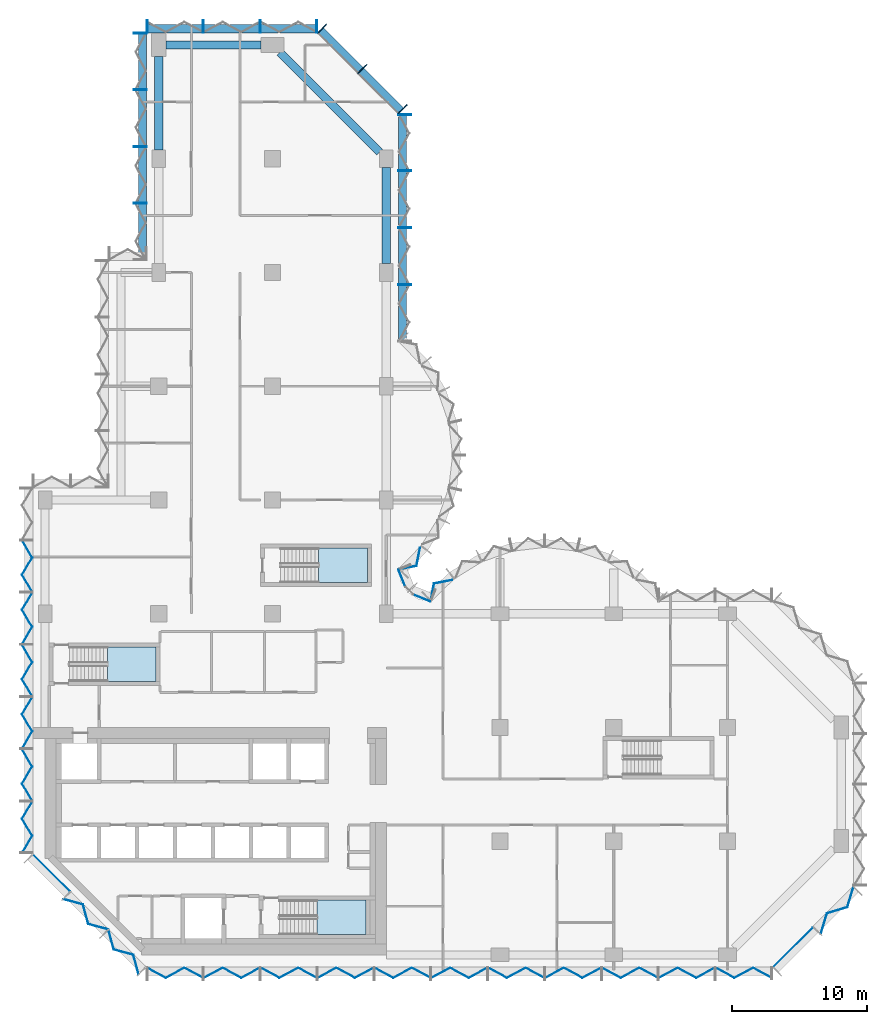
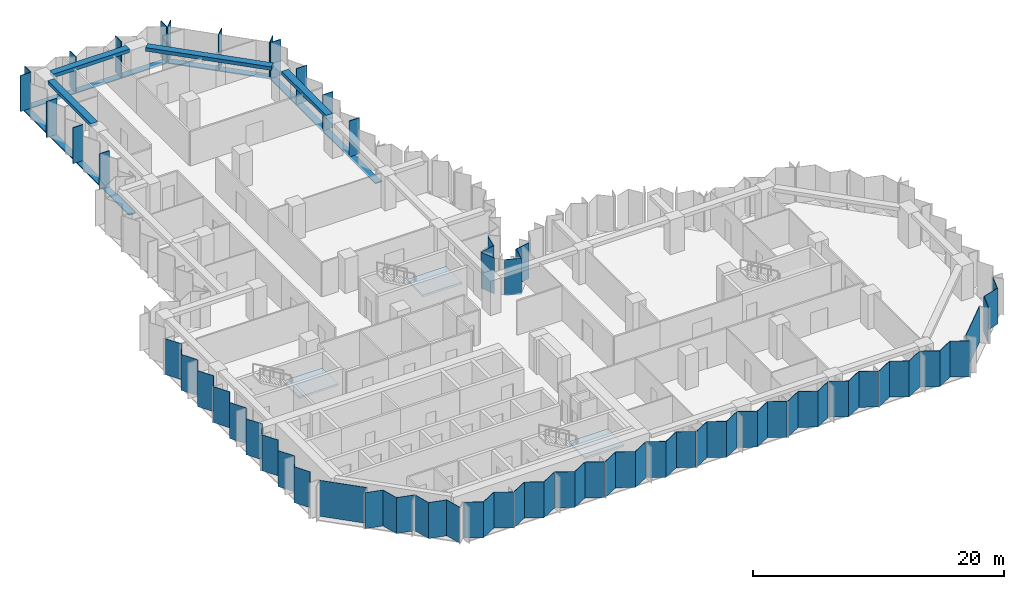
# One storey, part 3 of 11: 26 plates, 19 members, 4 beams, 3 slabs, 14 elements without a shape of their own.
"""IFC4 building model written with IfcOpenShell, lengths in metres."""

from ifc_helpers import new_model, si_unit, direction, frame, origin, origin_2d, place, context, subcontext, project, spatial, polyline, rectangle, outline, extrude, material, layer, layer_set, material_profile, profile_set, type_object, element, aggregate, save


model = new_model("IFC4")

# Units and contexts
model_context = context("Model", 3, precision=1e-05, world=origin(), true_north=direction((0.0, 1.0)))
body_context = subcontext(model_context, "Body", "Model", "MODEL_VIEW")
ifc_project = project(units=[si_unit("LENGTHUNIT", "METRE"), si_unit("AREAUNIT", "SQUARE_METRE"), si_unit("VOLUMEUNIT", "CUBIC_METRE"), si_unit("PLANEANGLEUNIT", "RADIAN"), si_unit("MASSUNIT", "GRAM", prefix="KILO")], contexts=[model_context])

# Site, building, storey
site_placement = place(None, origin())
site = spatial("IfcSite", under=ifc_project, at=site_placement, CompositionType="ELEMENT")
building_placement = place(site_placement, origin())
building = spatial("IfcBuilding", under=site, at=building_placement, Name="Brevane Broadcast Tower", CompositionType="ELEMENT")
storey_placement = place(building_placement, frame((0.0, 0.0, 142.10009765625)))
storey = spatial("IfcBuildingStorey", under=building, at=storey_placement, Name="L35", CompositionType="ELEMENT", Elevation=142.10009765625)

# Curtain wall, members
ifc_material_1 = material(Name="Aluminium 6063-T6 bronze anodised", Category="aluminium")
curtain_wall_type = type_object("IfcCurtainWallType", Name="CW-1 curtain wall", PredefinedType="NOTDEFINED", material=ifc_material_1)
curtain_wall_1_placement = place(storey_placement, origin())
curtain_wall_1 = element("IfcCurtainWall", 1, at=curtain_wall_1_placement, inside=storey, type_object=curtain_wall_type, Name="CW-1 typical tilted unit L35 north arm east face", PredefinedType="NOTDEFINED")
ifc_material_profile_1 = material_profile(ifc_material_1, rectangle(XDim=0.949951171875, YDim=0.070068359375, at=origin_2d()), Name="RECT 70x950")
ifc_profile_set_1 = profile_set([ifc_material_profile_1], Name="Aluminium 6063-T6 bronze anodised")
member_type_1 = type_object("IfcMemberType", Name="CW-1 mullion 70x950", PredefinedType="MULLION", material=ifc_profile_set_1)
member_1_placement = place(storey_placement, frame((26.574951171875, 49.5, -0.150146484375), z_axis=(0.0, 0.0, 1.0), x_axis=(-1.0, 0.0, 0.0)))
member_1 = element("IfcMember", 2, at=member_1_placement, type_object=member_type_1, Name="CW-1 mullion", PredefinedType="MULLION", context=body_context, shape_type="SweptSolid", body=[
    extrude(rectangle(XDim=0.949951171875, YDim=0.070068359375, at=origin_2d()), origin(), (0.0, 0.0, 1.0), 3.5),
])
member_2_placement = place(storey_placement, frame((26.574951171875, 53.699951171875, -0.150146484375), z_axis=(0.0, 0.0, 1.0), x_axis=(-1.0, 0.0, 0.0)))
member_2 = element("IfcMember", 3, at=member_2_placement, type_object=member_type_1, Name="CW-1 mullion", PredefinedType="MULLION", context=body_context, shape_type="SweptSolid", body=[
    extrude(rectangle(XDim=0.949951171875, YDim=0.070068359375, at=origin_2d()), origin(), (0.0, 0.0, 1.0), 3.5),
])
member_3_placement = place(storey_placement, frame((26.574951171875, 57.89990234375, -0.150146484375), z_axis=(0.0, 0.0, 1.0), x_axis=(-1.0, 0.0, 0.0)))
member_3 = element("IfcMember", 4, at=member_3_placement, type_object=member_type_1, Name="CW-1 mullion", PredefinedType="MULLION", context=body_context, shape_type="SweptSolid", body=[
    extrude(rectangle(XDim=0.949951171875, YDim=0.070068359375, at=origin_2d()), origin(), (0.0, 0.0, 1.0), 3.5),
])
member_4_placement = place(storey_placement, frame((26.574951171875, 62.06494140625, -0.150146484375), z_axis=(0.0, 0.0, 1.0), x_axis=(-1.0, 0.0, 0.0)))
member_4 = element("IfcMember", 5, at=member_4_placement, type_object=member_type_1, Name="CW-1 mullion", PredefinedType="MULLION", context=body_context, shape_type="SweptSolid", body=[
    extrude(rectangle(XDim=0.949951171875, YDim=0.070068359375, at=origin_2d()), origin(), (0.0, 0.0, 1.0), 3.5),
])

curtain_wall_2_placement = place(storey_placement, origin())
curtain_wall_2 = element("IfcCurtainWall", 6, at=curtain_wall_2_placement, inside=storey, type_object=curtain_wall_type, Name="CW-1 typical tilted unit L35 north arm north-east chamfer", PredefinedType="NOTDEFINED")
member_5_placement = place(storey_placement, frame((26.4111328125, 62.460693359375, -0.150146484375), z_axis=(0.0, 0.0, 1.0), x_axis=(-0.707106781187, -0.707106781187, 0.0)))
member_5 = element("IfcMember", 7, at=member_5_placement, type_object=member_type_1, Name="CW-1 mullion", PredefinedType="MULLION", context=body_context, shape_type="SweptSolid", body=[
    extrude(rectangle(XDim=0.949951171875, YDim=0.070068359375, at=origin_2d()), origin(), (0.0, 0.0, 1.0), 3.5),
])
member_6_placement = place(storey_placement, frame((23.435791015625, 65.435791015625, -0.150146484375), z_axis=(0.0, 0.0, 1.0), x_axis=(-0.707106781187, -0.707106781187, 0.0)))
member_6 = element("IfcMember", 8, at=member_6_placement, type_object=member_type_1, Name="CW-1 mullion", PredefinedType="MULLION", context=body_context, shape_type="SweptSolid", body=[
    extrude(rectangle(XDim=0.949951171875, YDim=0.070068359375, at=origin_2d()), origin(), (0.0, 0.0, 1.0), 3.5),
])
member_7_placement = place(storey_placement, frame((20.460693359375, 68.4111328125, -0.150146484375), z_axis=(0.0, 0.0, 1.0), x_axis=(-0.707106781187, -0.707106781187, 0.0)))
member_7 = element("IfcMember", 9, at=member_7_placement, type_object=member_type_1, Name="CW-1 mullion", PredefinedType="MULLION", context=body_context, shape_type="SweptSolid", body=[
    extrude(rectangle(XDim=0.949951171875, YDim=0.070068359375, at=origin_2d()), origin(), (0.0, 0.0, 1.0), 3.5),
])

curtain_wall_3_placement = place(storey_placement, origin())
curtain_wall_3 = element("IfcCurtainWall", 10, at=curtain_wall_3_placement, inside=storey, type_object=curtain_wall_type, Name="CW-1 typical tilted unit L35 north end", PredefinedType="NOTDEFINED")
member_8_placement = place(storey_placement, frame((20.06494140625, 68.574951171875, -0.150146484375), z_axis=(0.0, 0.0, 1.0), x_axis=(0.0, -1.0, 0.0)))
member_8 = element("IfcMember", 11, at=member_8_placement, type_object=member_type_1, Name="CW-1 mullion", PredefinedType="MULLION", context=body_context, shape_type="SweptSolid", body=[
    extrude(rectangle(XDim=0.949951171875, YDim=0.070068359375, at=origin_2d()), origin(), (0.0, 0.0, 1.0), 3.5),
])
member_9_placement = place(storey_placement, frame((15.89990234375, 68.574951171875, -0.150146484375), z_axis=(0.0, 0.0, 1.0), x_axis=(0.0, -1.0, 0.0)))
member_9 = element("IfcMember", 12, at=member_9_placement, type_object=member_type_1, Name="CW-1 mullion", PredefinedType="MULLION", context=body_context, shape_type="SweptSolid", body=[
    extrude(rectangle(XDim=0.949951171875, YDim=0.070068359375, at=origin_2d()), origin(), (0.0, 0.0, 1.0), 3.5),
])
member_10_placement = place(storey_placement, frame((11.699951171875, 68.574951171875, -0.150146484375), z_axis=(0.0, 0.0, 1.0), x_axis=(0.0, -1.0, 0.0)))
member_10 = element("IfcMember", 13, at=member_10_placement, type_object=member_type_1, Name="CW-1 mullion", PredefinedType="MULLION", context=body_context, shape_type="SweptSolid", body=[
    extrude(rectangle(XDim=0.949951171875, YDim=0.070068359375, at=origin_2d()), origin(), (0.0, 0.0, 1.0), 3.5),
])
member_11_placement = place(storey_placement, frame((7.534912109375, 68.574951171875, -0.150146484375), z_axis=(0.0, 0.0, 1.0), x_axis=(0.0, -1.0, 0.0)))
member_11 = element("IfcMember", 14, at=member_11_placement, type_object=member_type_1, Name="CW-1 mullion", PredefinedType="MULLION", context=body_context, shape_type="SweptSolid", body=[
    extrude(rectangle(XDim=0.949951171875, YDim=0.070068359375, at=origin_2d()), origin(), (0.0, 0.0, 1.0), 3.5),
])

curtain_wall_4_placement = place(storey_placement, origin())
curtain_wall_4 = element("IfcCurtainWall", 15, at=curtain_wall_4_placement, inside=storey, type_object=curtain_wall_type, Name="CW-1 typical tilted unit L35 north wing west face above the set-back", PredefinedType="NOTDEFINED")
member_12_placement = place(storey_placement, frame((7.02490234375, 68.06494140625, -0.150146484375), z_axis=(0.0, 0.0, 1.0), x_axis=(1.0, 0.0, 0.0)))
member_12 = element("IfcMember", 16, at=member_12_placement, type_object=member_type_1, Name="CW-1 mullion", PredefinedType="MULLION", context=body_context, shape_type="SweptSolid", body=[
    extrude(rectangle(XDim=0.949951171875, YDim=0.070068359375, at=origin_2d()), origin(), (0.0, 0.0, 1.0), 3.5),
])
member_13_placement = place(storey_placement, frame((7.02490234375, 63.89990234375, -0.150146484375), z_axis=(0.0, 0.0, 1.0), x_axis=(1.0, 0.0, 0.0)))
member_13 = element("IfcMember", 17, at=member_13_placement, type_object=member_type_1, Name="CW-1 mullion", PredefinedType="MULLION", context=body_context, shape_type="SweptSolid", body=[
    extrude(rectangle(XDim=0.949951171875, YDim=0.070068359375, at=origin_2d()), origin(), (0.0, 0.0, 1.0), 3.5),
])
member_14_placement = place(storey_placement, frame((7.02490234375, 59.699951171875, -0.150146484375), z_axis=(0.0, 0.0, 1.0), x_axis=(1.0, 0.0, 0.0)))
member_14 = element("IfcMember", 18, at=member_14_placement, type_object=member_type_1, Name="CW-1 mullion", PredefinedType="MULLION", context=body_context, shape_type="SweptSolid", body=[
    extrude(rectangle(XDim=0.949951171875, YDim=0.070068359375, at=origin_2d()), origin(), (0.0, 0.0, 1.0), 3.5),
])
member_15_placement = place(storey_placement, frame((7.02490234375, 55.5, -0.150146484375), z_axis=(0.0, 0.0, 1.0), x_axis=(1.0, 0.0, 0.0)))
member_15 = element("IfcMember", 19, at=member_15_placement, type_object=member_type_1, Name="CW-1 mullion", PredefinedType="MULLION", context=body_context, shape_type="SweptSolid", body=[
    extrude(rectangle(XDim=0.949951171875, YDim=0.070068359375, at=origin_2d()), origin(), (0.0, 0.0, 1.0), 3.5),
])

# Member
ifc_material_profile_2 = material_profile(ifc_material_1, rectangle(XDim=0.60009765625, YDim=0.10009765625, at=origin_2d()), Name="RECT 100x600")
ifc_profile_set_2 = profile_set([ifc_material_profile_2], Name="Aluminium 6063-T6 bronze anodised")
member_type_2 = type_object("IfcMemberType", Name="CW-1 transom 100x600", PredefinedType="USERDEFINED", material=ifc_profile_set_2)
member_16_placement = place(storey_placement, frame((26.39990234375, 45.300048828125, -0.2001953125), z_axis=(0.0, 1.0, 0.0), x_axis=(-1.0, 0.0, 0.0)))
member_16 = element("IfcMember", 20, at=member_16_placement, type_object=member_type_2, Name="CW-1 transom", ObjectType="TRANSOM", PredefinedType="USERDEFINED", context=body_context, shape_type="SweptSolid", body=[
    extrude(rectangle(XDim=0.60009765625, YDim=0.10009765625, at=origin_2d()), origin(), (0.0, 0.0, 1.0), 16.800048828125),
])

aggregate(curtain_wall_1, [member_1, member_2, member_3, member_4, member_16])

member_17_placement = place(storey_placement, frame((26.31201171875, 62.31201171875, -0.2001953125), z_axis=(-0.707106781187, 0.707106781187, 0.0), x_axis=(-0.707106781187, -0.707106781187, 0.0)))
member_17 = element("IfcMember", 21, at=member_17_placement, type_object=member_type_2, Name="CW-1 transom", ObjectType="TRANSOM", PredefinedType="USERDEFINED", context=body_context, shape_type="SweptSolid", body=[
    extrude(rectangle(XDim=0.60009765625, YDim=0.10009765625, at=origin_2d()), origin(), (0.0, 0.0, 1.0), 8.4853515625),
])

aggregate(curtain_wall_2, [member_5, member_6, member_7, member_17])

member_18_placement = place(storey_placement, frame((20.10009765625, 68.39990234375, -0.2001953125), z_axis=(-1.0, 0.0, 0.0), x_axis=(0.0, -1.0, 0.0)))
member_18 = element("IfcMember", 22, at=member_18_placement, type_object=member_type_2, Name="CW-1 transom", ObjectType="TRANSOM", PredefinedType="USERDEFINED", context=body_context, shape_type="SweptSolid", body=[
    extrude(rectangle(XDim=0.60009765625, YDim=0.10009765625, at=origin_2d()), origin(), (0.0, 0.0, 1.0), 12.60009765625),
])

aggregate(curtain_wall_3, [member_8, member_9, member_10, member_11, member_18])

member_19_placement = place(storey_placement, frame((7.199951171875, 68.10009765625, -0.2001953125), z_axis=(0.0, -1.0, 0.0), x_axis=(1.0, 0.0, 0.0)))
member_19 = element("IfcMember", 23, at=member_19_placement, type_object=member_type_2, Name="CW-1 transom", ObjectType="TRANSOM", PredefinedType="USERDEFINED", context=body_context, shape_type="SweptSolid", body=[
    extrude(rectangle(XDim=0.60009765625, YDim=0.10009765625, at=origin_2d()), origin(), (0.0, 0.0, 1.0), 16.800048828125),
])

aggregate(curtain_wall_4, [member_12, member_13, member_14, member_15, member_19])

# Beams
ifc_material_2 = material(Name="Concrete C40/50", Category="concrete")
ifc_material_profile_3 = material_profile(ifc_material_2, rectangle(XDim=0.60009765625, YDim=0.35009765625, at=origin_2d()), Name="RC 600x350")
ifc_profile_set_3 = profile_set([ifc_material_profile_3], Name="Concrete C40/50")
beam_type = type_object("IfcBeamType", Name="RC SPANDREL BEAM 600x350 C40/50", PredefinedType="SPANDREL", material=ifc_profile_set_3)
beam_1_placement = place(storey_placement, frame((25.199951171875, 51.050048828125, 3.1748046875), z_axis=(0.0, 1.0, 0.0), x_axis=(-1.0, 0.0, 0.0)))
element("IfcBeam", 24, at=beam_1_placement, inside=storey, type_object=beam_type, Name="EB1 L35-13", PredefinedType="SPANDREL", context=body_context, shape_type="SweptSolid", body=[
    extrude(rectangle(XDim=0.60009765625, YDim=0.35009765625, at=origin_2d()), origin(), (0.0, 0.0, 1.0), 7.099853515625),
])
beam_2_placement = place(storey_placement, frame((24.699951171875, 59.300048828125, 3.1748046875), z_axis=(-0.707106781187, 0.707106781187, 0.0), x_axis=(-0.707106781187, -0.707106781187, 0.0)))
element("IfcBeam", 25, at=beam_2_placement, inside=storey, type_object=beam_type, Name="EB1 L35-14", PredefinedType="SPANDREL", context=body_context, shape_type="SweptSolid", body=[
    extrude(rectangle(XDim=0.60009765625, YDim=0.35009765625, at=origin_2d()), origin(), (0.0, 0.0, 1.0), 10.394287109375),
])
beam_3_placement = place(storey_placement, frame((15.949951171875, 67.199951171875, 3.1748046875), z_axis=(-1.0, 0.0, 0.0), x_axis=(0.0, -1.0, 0.0)))
element("IfcBeam", 26, at=beam_3_placement, inside=storey, type_object=beam_type, Name="EB1 L35-15", PredefinedType="SPANDREL", context=body_context, shape_type="SweptSolid", body=[
    extrude(rectangle(XDim=0.60009765625, YDim=0.35009765625, at=origin_2d()), origin(), (0.0, 0.0, 1.0), 7.0),
])
beam_4_placement = place(storey_placement, frame((8.39990234375, 59.449951171875, 3.1748046875), z_axis=(0.0, 1.0, 0.0), x_axis=(-1.0, 0.0, 0.0)))
element("IfcBeam", 27, at=beam_4_placement, inside=storey, type_object=beam_type, Name="EB1 L35-23", PredefinedType="SPANDREL", context=body_context, shape_type="SweptSolid", body=[
    extrude(rectangle(XDim=0.60009765625, YDim=0.35009765625, at=origin_2d()), origin(), (0.0, 0.0, 1.0), 6.900146484375),
])

# Curtain wall, plates
curtain_wall_5_placement = place(storey_placement, origin())
curtain_wall_5 = element("IfcCurtainWall", 28, at=curtain_wall_5_placement, inside=storey, type_object=curtain_wall_type, Name="CW-1 typical tilted unit L35 south face", PredefinedType="NOTDEFINED")
ifc_material_3 = material(Name="Laminated glass bronze-tinted", Category="glass")
ifc_layer_1 = layer(ifc_material_3, 0.0400390625)
ifc_layer_set_1 = layer_set([ifc_layer_1], Name="CW tall glass panel 40")
plate_type = type_object("IfcPlateType", Name="CW tall glass panel 40", PredefinedType="CURTAIN_PANEL", material=ifc_layer_set_1)
plate_1_placement = place(storey_placement, frame((0.0, 0.0, -0.150146484375)))
plate_1 = element("IfcPlate", 29, at=plate_1_placement, type_object=plate_type, Name="CW-1 glass panel", PredefinedType="CURTAIN_PANEL", context=body_context, shape_type="SweptSolid", body=[
    extrude(outline(polyline([(7.534912109375, -0.92724609375), (7.534912109375, -0.97265625), (8.91162109375, -1.717041015625), (10.288330078125, -0.97265625), (11.6650390625, -1.717041015625), (11.6650390625, -1.671630859375), (10.288330078125, -0.92724609375), (8.91162109375, -1.671630859375), (7.534912109375, -0.92724609375)])), origin(), (0.0, 0.0, 1.0), 3.5),
])
plate_2_placement = place(storey_placement, frame((0.0, 0.0, -0.150146484375)))
plate_2 = element("IfcPlate", 30, at=plate_2_placement, type_object=plate_type, Name="CW-1 glass panel", PredefinedType="CURTAIN_PANEL", context=body_context, shape_type="SweptSolid", body=[
    extrude(outline(polyline([(11.735107421875, -1.671630859375), (11.735107421875, -1.717041015625), (13.11181640625, -0.97265625), (14.48828125, -1.717041015625), (15.864990234375, -0.97265625), (15.864990234375, -0.92724609375), (14.48828125, -1.671630859375), (13.11181640625, -0.92724609375), (11.735107421875, -1.671630859375)])), origin(), (0.0, 0.0, 1.0), 3.5),
])
plate_3_placement = place(storey_placement, frame((0.0, 0.0, -0.150146484375)))
plate_3 = element("IfcPlate", 31, at=plate_3_placement, type_object=plate_type, Name="CW-1 glass panel", PredefinedType="CURTAIN_PANEL", context=body_context, shape_type="SweptSolid", body=[
    extrude(outline(polyline([(15.93505859375, -0.92724609375), (15.93505859375, -0.97265625), (17.311767578125, -1.717041015625), (18.688232421875, -0.97265625), (20.06494140625, -1.717041015625), (20.06494140625, -1.671630859375), (18.688232421875, -0.92724609375), (17.311767578125, -1.671630859375), (15.93505859375, -0.92724609375)])), origin(), (0.0, 0.0, 1.0), 3.5),
])
plate_4_placement = place(storey_placement, frame((0.0, 0.0, -0.150146484375)))
plate_4 = element("IfcPlate", 32, at=plate_4_placement, type_object=plate_type, Name="CW-1 glass panel", PredefinedType="CURTAIN_PANEL", context=body_context, shape_type="SweptSolid", body=[
    extrude(outline(polyline([(20.135009765625, -1.671630859375), (20.135009765625, -1.717041015625), (21.51171875, -0.97265625), (22.88818359375, -1.717041015625), (24.264892578125, -0.97265625), (24.264892578125, -0.92724609375), (22.88818359375, -1.671630859375), (21.51171875, -0.92724609375), (20.135009765625, -1.671630859375)])), origin(), (0.0, 0.0, 1.0), 3.5),
])
plate_5_placement = place(storey_placement, frame((0.0, 0.0, -0.150146484375)))
plate_5 = element("IfcPlate", 33, at=plate_5_placement, type_object=plate_type, Name="CW-1 glass panel", PredefinedType="CURTAIN_PANEL", context=body_context, shape_type="SweptSolid", body=[
    extrude(outline(polyline([(24.3349609375, -0.92724609375), (24.3349609375, -0.97265625), (25.711669921875, -1.717041015625), (27.08837890625, -0.97265625), (28.465087890625, -1.717041015625), (28.465087890625, -1.671630859375), (27.08837890625, -0.92724609375), (25.711669921875, -1.671630859375), (24.3349609375, -0.92724609375)])), origin(), (0.0, 0.0, 1.0), 3.5),
])
plate_6_placement = place(storey_placement, frame((0.0, 0.0, -0.150146484375)))
plate_6 = element("IfcPlate", 34, at=plate_6_placement, type_object=plate_type, Name="CW-1 glass panel", PredefinedType="CURTAIN_PANEL", context=body_context, shape_type="SweptSolid", body=[
    extrude(outline(polyline([(28.534912109375, -1.671630859375), (28.534912109375, -1.717041015625), (29.91162109375, -0.97265625), (31.288330078125, -1.717041015625), (32.6650390625, -0.97265625), (32.6650390625, -0.92724609375), (31.288330078125, -1.671630859375), (29.91162109375, -0.92724609375), (28.534912109375, -1.671630859375)])), origin(), (0.0, 0.0, 1.0), 3.5),
])
plate_7_placement = place(storey_placement, frame((0.0, 0.0, -0.150146484375)))
plate_7 = element("IfcPlate", 35, at=plate_7_placement, type_object=plate_type, Name="CW-1 glass panel", PredefinedType="CURTAIN_PANEL", context=body_context, shape_type="SweptSolid", body=[
    extrude(outline(polyline([(32.735107421875, -0.92724609375), (32.735107421875, -0.97265625), (34.11181640625, -1.717041015625), (35.48828125, -0.97265625), (36.864990234375, -1.717041015625), (36.864990234375, -1.671630859375), (35.48828125, -0.92724609375), (34.11181640625, -1.671630859375), (32.735107421875, -0.92724609375)])), origin(), (0.0, 0.0, 1.0), 3.5),
])
plate_8_placement = place(storey_placement, frame((0.0, 0.0, -0.150146484375)))
plate_8 = element("IfcPlate", 36, at=plate_8_placement, type_object=plate_type, Name="CW-1 glass panel", PredefinedType="CURTAIN_PANEL", context=body_context, shape_type="SweptSolid", body=[
    extrude(outline(polyline([(36.93505859375, -1.671630859375), (36.93505859375, -1.717041015625), (38.311767578125, -0.97265625), (39.688232421875, -1.717041015625), (41.06494140625, -0.97265625), (41.06494140625, -0.92724609375), (39.688232421875, -1.671630859375), (38.311767578125, -0.92724609375), (36.93505859375, -1.671630859375)])), origin(), (0.0, 0.0, 1.0), 3.5),
])
plate_9_placement = place(storey_placement, frame((0.0, 0.0, -0.150146484375)))
plate_9 = element("IfcPlate", 37, at=plate_9_placement, type_object=plate_type, Name="CW-1 glass panel", PredefinedType="CURTAIN_PANEL", context=body_context, shape_type="SweptSolid", body=[
    extrude(outline(polyline([(41.135009765625, -0.92724609375), (41.135009765625, -0.97265625), (42.51171875, -1.717041015625), (43.88818359375, -0.97265625), (45.264892578125, -1.717041015625), (45.264892578125, -1.671630859375), (43.88818359375, -0.92724609375), (42.51171875, -1.671630859375), (41.135009765625, -0.92724609375)])), origin(), (0.0, 0.0, 1.0), 3.5),
])
plate_10_placement = place(storey_placement, frame((0.0, 0.0, -0.150146484375)))
plate_10 = element("IfcPlate", 38, at=plate_10_placement, type_object=plate_type, Name="CW-1 glass panel", PredefinedType="CURTAIN_PANEL", context=body_context, shape_type="SweptSolid", body=[
    extrude(outline(polyline([(45.3349609375, -1.671630859375), (45.3349609375, -1.717041015625), (46.711669921875, -0.97265625), (48.08837890625, -1.717041015625), (49.465087890625, -0.97265625), (49.465087890625, -0.92724609375), (48.08837890625, -1.671630859375), (46.711669921875, -0.92724609375), (45.3349609375, -1.671630859375)])), origin(), (0.0, 0.0, 1.0), 3.5),
])
plate_11_placement = place(storey_placement, frame((0.0, 0.0, -0.150146484375)))
plate_11 = element("IfcPlate", 39, at=plate_11_placement, type_object=plate_type, Name="CW-1 glass panel", PredefinedType="CURTAIN_PANEL", context=body_context, shape_type="SweptSolid", body=[
    extrude(outline(polyline([(49.534912109375, -0.92724609375), (49.534912109375, -0.97265625), (50.91162109375, -1.717041015625), (52.288330078125, -0.97265625), (53.6650390625, -1.717041015625), (53.6650390625, -1.671630859375), (52.288330078125, -0.92724609375), (50.91162109375, -1.671630859375), (49.534912109375, -0.92724609375)])), origin(), (0.0, 0.0, 1.0), 3.5),
])
aggregate(curtain_wall_5, [plate_1, plate_2, plate_3, plate_4, plate_5, plate_6, plate_7, plate_8, plate_9, plate_10, plate_11])

curtain_wall_6_placement = place(storey_placement, origin())
curtain_wall_6 = element("IfcCurtainWall", 40, at=curtain_wall_6_placement, inside=storey, type_object=curtain_wall_type, Name="CW-1 typical tilted unit L35 south-east chamfer", PredefinedType="NOTDEFINED")
plate_12_placement = place(storey_placement, frame((0.0, 0.0, -0.150146484375)))
plate_12 = element("IfcPlate", 41, at=plate_12_placement, type_object=plate_type, Name="CW-1 glass panel", PredefinedType="CURTAIN_PANEL", context=body_context, shape_type="SweptSolid", body=[
    extrude(outline(polyline([(53.74609375, -0.896484375), (56.696533203125, 2.053955078125), (56.724609375, 2.02587890625), (53.774169921875, -0.9248046875), (53.74609375, -0.896484375)])), origin(), (0.0, 0.0, 1.0), 3.5),
])
plate_13_placement = place(storey_placement, frame((0.0, 0.0, -0.150146484375)))
plate_13 = element("IfcPlate", 42, at=plate_13_placement, type_object=plate_type, Name="CW-1 glass panel", PredefinedType="CURTAIN_PANEL", context=body_context, shape_type="SweptSolid", body=[
    extrude(outline(polyline([(57.2705078125, 1.5791015625), (57.302490234375, 1.547119140625), (57.759521484375, 3.056884765625), (59.26953125, 3.513916015625), (59.7265625, 5.02392578125), (59.694580078125, 5.055908203125), (59.2373046875, 3.546142578125), (57.7275390625, 3.0888671875), (57.2705078125, 1.5791015625)])), origin(), (0.0, 0.0, 1.0), 3.5),
])
aggregate(curtain_wall_6, [plate_12, plate_13])

# Curtain wall, plate
curtain_wall_7_placement = place(storey_placement, origin())
curtain_wall_7 = element("IfcCurtainWall", 43, at=curtain_wall_7_placement, inside=storey, type_object=curtain_wall_type, Name="CW-1 typical tilted unit L35 east bow", PredefinedType="NOTDEFINED")
plate_14_placement = place(storey_placement, frame((0.0, 0.0, -0.150146484375)))
plate_14 = element("IfcPlate", 44, at=plate_14_placement, type_object=plate_type, Name="CW-1 glass panel", PredefinedType="CURTAIN_PANEL", context=body_context, shape_type="SweptSolid", body=[
    extrude(outline(polyline([(30.089111328125, 27.67626953125), (30.0615234375, 27.71142578125), (28.7138671875, 27.447265625), (28.471923828125, 26.17919921875), (28.506103515625, 26.14404296875), (28.748046875, 27.4130859375), (30.089111328125, 27.67626953125)])), origin(), (0.0, 0.0, 1.0), 3.5),
])
aggregate(curtain_wall_7, [plate_14])

# Curtain wall, plates
curtain_wall_8_placement = place(storey_placement, origin())
curtain_wall_8 = element("IfcCurtainWall", 45, at=curtain_wall_8_placement, inside=storey, type_object=curtain_wall_type, Name="CW-1 typical tilted unit L35 inner corner", PredefinedType="NOTDEFINED")
plate_15_placement = place(storey_placement, frame((0.0, 0.0, -0.150146484375)))
plate_15 = element("IfcPlate", 46, at=plate_15_placement, type_object=plate_type, Name="CW-1 glass panel", PredefinedType="CURTAIN_PANEL", context=body_context, shape_type="SweptSolid", body=[
    extrude(outline(polyline([(28.45166015625, 26.07470703125), (28.466796875, 26.111572265625), (27.2021484375, 26.635498046875), (27.17138671875, 26.60498046875), (28.45166015625, 26.07470703125)])), origin(), (0.0, 0.0, 1.0), 3.5),
])
plate_16_placement = place(storey_placement, frame((0.0, 0.0, -0.150146484375)))
plate_16 = element("IfcPlate", 47, at=plate_16_placement, type_object=plate_type, Name="CW-1 glass panel", PredefinedType="CURTAIN_PANEL", context=body_context, shape_type="SweptSolid", body=[
    extrude(outline(polyline([(26.60498046875, 27.17138671875), (26.635498046875, 27.2021484375), (26.111572265625, 28.466796875), (26.07470703125, 28.45166015625), (26.60498046875, 27.17138671875)])), origin(), (0.0, 0.0, 1.0), 3.5),
])
aggregate(curtain_wall_8, [plate_15, plate_16])

# Curtain wall, plate
curtain_wall_9_placement = place(storey_placement, origin())
curtain_wall_9 = element("IfcCurtainWall", 48, at=curtain_wall_9_placement, inside=storey, type_object=curtain_wall_type, Name="CW-1 typical tilted unit L35 north bow", PredefinedType="NOTDEFINED")
plate_17_placement = place(storey_placement, frame((0.0, 0.0, -0.150146484375)))
plate_17 = element("IfcPlate", 49, at=plate_17_placement, type_object=plate_type, Name="CW-1 glass panel", PredefinedType="CURTAIN_PANEL", context=body_context, shape_type="SweptSolid", body=[
    extrude(outline(polyline([(26.14404296875, 28.506103515625), (26.17919921875, 28.471923828125), (27.447265625, 28.7138671875), (27.71142578125, 30.0615234375), (27.67626953125, 30.089111328125), (27.4130859375, 28.748046875), (26.14404296875, 28.506103515625)])), origin(), (0.0, 0.0, 1.0), 3.5),
])
aggregate(curtain_wall_9, [plate_17])

# Curtain wall, plates
curtain_wall_10_placement = place(storey_placement, origin())
curtain_wall_10 = element("IfcCurtainWall", 50, at=curtain_wall_10_placement, inside=storey, type_object=curtain_wall_type, Name="CW-1 typical tilted unit L35 west face", PredefinedType="NOTDEFINED")
plate_18_placement = place(storey_placement, frame((0.0, 0.0, -0.150146484375)))
plate_18 = element("IfcPlate", 51, at=plate_18_placement, type_object=plate_type, Name="CW-1 glass panel", PredefinedType="CURTAIN_PANEL", context=body_context, shape_type="SweptSolid", body=[
    extrude(outline(polyline([(-1.671142578125, 30.60791015625), (-1.717529296875, 30.60791015625), (-0.97314453125, 29.345458984375), (-1.717529296875, 28.0830078125), (-0.97314453125, 26.82080078125), (-0.9267578125, 26.82080078125), (-1.671142578125, 28.0830078125), (-0.9267578125, 29.345458984375), (-1.671142578125, 30.60791015625)])), origin(), (0.0, 0.0, 1.0), 3.5),
])
plate_19_placement = place(storey_placement, frame((0.0, 0.0, -0.150146484375)))
plate_19 = element("IfcPlate", 52, at=plate_19_placement, type_object=plate_type, Name="CW-1 glass panel", PredefinedType="CURTAIN_PANEL", context=body_context, shape_type="SweptSolid", body=[
    extrude(outline(polyline([(-0.9267578125, 26.750732421875), (-0.97314453125, 26.750732421875), (-1.717529296875, 25.48828125), (-0.97314453125, 24.22607421875), (-1.717529296875, 22.963623046875), (-1.671142578125, 22.963623046875), (-0.9267578125, 24.22607421875), (-1.671142578125, 25.48828125), (-0.9267578125, 26.750732421875)])), origin(), (0.0, 0.0, 1.0), 3.5),
])
plate_20_placement = place(storey_placement, frame((0.0, 0.0, -0.150146484375)))
plate_20 = element("IfcPlate", 53, at=plate_20_placement, type_object=plate_type, Name="CW-1 glass panel", PredefinedType="CURTAIN_PANEL", context=body_context, shape_type="SweptSolid", body=[
    extrude(outline(polyline([(-1.671142578125, 22.8935546875), (-1.717529296875, 22.8935546875), (-0.97314453125, 21.631103515625), (-1.717529296875, 20.368896484375), (-0.97314453125, 19.1064453125), (-0.9267578125, 19.1064453125), (-1.671142578125, 20.368896484375), (-0.9267578125, 21.631103515625), (-1.671142578125, 22.8935546875)])), origin(), (0.0, 0.0, 1.0), 3.5),
])
plate_21_placement = place(storey_placement, frame((0.0, 0.0, -0.150146484375)))
plate_21 = element("IfcPlate", 54, at=plate_21_placement, type_object=plate_type, Name="CW-1 glass panel", PredefinedType="CURTAIN_PANEL", context=body_context, shape_type="SweptSolid", body=[
    extrude(outline(polyline([(-0.9267578125, 19.036376953125), (-0.97314453125, 19.036376953125), (-1.717529296875, 17.77392578125), (-0.97314453125, 16.51171875), (-1.717529296875, 15.249267578125), (-1.671142578125, 15.249267578125), (-0.9267578125, 16.51171875), (-1.671142578125, 17.77392578125), (-0.9267578125, 19.036376953125)])), origin(), (0.0, 0.0, 1.0), 3.5),
])
plate_22_placement = place(storey_placement, frame((0.0, 0.0, -0.150146484375)))
plate_22 = element("IfcPlate", 55, at=plate_22_placement, type_object=plate_type, Name="CW-1 glass panel", PredefinedType="CURTAIN_PANEL", context=body_context, shape_type="SweptSolid", body=[
    extrude(outline(polyline([(-1.671142578125, 15.17919921875), (-1.717529296875, 15.17919921875), (-0.97314453125, 13.9169921875), (-1.717529296875, 12.654541015625), (-0.97314453125, 11.39208984375), (-0.9267578125, 11.39208984375), (-1.671142578125, 12.654541015625), (-0.9267578125, 13.9169921875), (-1.671142578125, 15.17919921875)])), origin(), (0.0, 0.0, 1.0), 3.5),
])
plate_23_placement = place(storey_placement, frame((0.0, 0.0, -0.150146484375)))
plate_23 = element("IfcPlate", 56, at=plate_23_placement, type_object=plate_type, Name="CW-1 glass panel", PredefinedType="CURTAIN_PANEL", context=body_context, shape_type="SweptSolid", body=[
    extrude(outline(polyline([(-0.9267578125, 11.322021484375), (-0.97314453125, 11.322021484375), (-1.717529296875, 10.059814453125), (-0.97314453125, 8.79736328125), (-1.717529296875, 7.534912109375), (-1.671142578125, 7.534912109375), (-0.9267578125, 8.79736328125), (-1.671142578125, 10.059814453125), (-0.9267578125, 11.322021484375)])), origin(), (0.0, 0.0, 1.0), 3.5),
])
aggregate(curtain_wall_10, [plate_18, plate_19, plate_20, plate_21, plate_22, plate_23])

curtain_wall_11_placement = place(storey_placement, origin())
curtain_wall_11 = element("IfcCurtainWall", 57, at=curtain_wall_11_placement, inside=storey, type_object=curtain_wall_type, Name="CW-1 typical tilted unit L35 south-west chamfer", PredefinedType="NOTDEFINED")
plate_24_placement = place(storey_placement, frame((0.0, 0.0, -0.150146484375)))
plate_24 = element("IfcPlate", 58, at=plate_24_placement, type_object=plate_type, Name="CW-1 glass panel", PredefinedType="CURTAIN_PANEL", context=body_context, shape_type="SweptSolid", body=[
    extrude(outline(polyline([(-0.896484375, 7.4541015625), (1.85400390625, 4.70361328125), (1.82568359375, 4.67529296875), (-0.9248046875, 7.42578125), (-0.896484375, 7.4541015625)])), origin(), (0.0, 0.0, 1.0), 3.5),
])
plate_25_placement = place(storey_placement, frame((0.0, 0.0, -0.150146484375)))
plate_25 = element("IfcPlate", 59, at=plate_25_placement, type_object=plate_type, Name="CW-1 glass panel", PredefinedType="CURTAIN_PANEL", context=body_context, shape_type="SweptSolid", body=[
    extrude(outline(polyline([(1.37939453125, 4.1298828125), (1.3466796875, 4.09716796875), (2.789794921875, 3.706787109375), (3.180419921875, 2.263671875), (4.62353515625, 1.873046875), (4.65625, 1.90576171875), (3.212890625, 2.296142578125), (2.822509765625, 3.739501953125), (1.37939453125, 4.1298828125)])), origin(), (0.0, 0.0, 1.0), 3.5),
])
plate_26_placement = place(storey_placement, frame((0.0, 0.0, -0.150146484375)))
plate_26 = element("IfcPlate", 60, at=plate_26_placement, type_object=plate_type, Name="CW-1 glass panel", PredefinedType="CURTAIN_PANEL", context=body_context, shape_type="SweptSolid", body=[
    extrude(outline(polyline([(4.705810546875, 1.856201171875), (4.673095703125, 1.823486328125), (5.063720703125, 0.38037109375), (6.5068359375, -0.010009765625), (6.897216796875, -1.453369140625), (6.9296875, -1.420654296875), (6.539306640625, 0.0224609375), (5.09619140625, 0.4130859375), (4.705810546875, 1.856201171875)])), origin(), (0.0, 0.0, 1.0), 3.5),
])
aggregate(curtain_wall_11, [plate_24, plate_25, plate_26])

# Stair, slab
ifc_material_4 = material(Name="Concrete C50/60", Category="concrete")
stair_type = type_object("IfcStairType", Name="Exit stair 22 risers", PredefinedType="HALF_TURN_STAIR", material=ifc_material_4)
stair_1_placement = place(storey_placement, origin())
stair_1 = element("IfcStair", 61, at=stair_1_placement, inside=storey, type_object=stair_type, Name="L35 Exit stair ST-1", PredefinedType="HALF_TURN_STAIR")
ifc_layer_2 = layer(ifc_material_4, 0.199951171875)
ifc_layer_set_2 = layer_set([ifc_layer_2], Name="Exit stair landing")
slab_type = type_object("IfcSlabType", Name="Exit stair landing", PredefinedType="LANDING", material=ifc_layer_set_2)
slab_1_placement = place(storey_placement, frame((0.0, 0.0, 1.599853515625)))
slab_1 = element("IfcSlab", 62, at=slab_1_placement, type_object=slab_type, Name="ST-1 landing 1", PredefinedType="LANDING", context=body_context, shape_type="SweptSolid", body=[
    extrude(outline(polyline([(4.60009765625, 20.199951171875), (8.199951171875, 20.199951171875), (8.199951171875, 22.75), (4.60009765625, 22.75), (4.60009765625, 20.199951171875)])), origin(), (0.0, 0.0, 1.0), 0.199951171875),
])
aggregate(stair_1, [slab_1])

stair_2_placement = place(storey_placement, origin())
stair_2 = element("IfcStair", 63, at=stair_2_placement, inside=storey, type_object=stair_type, Name="L35 Exit stair ST-2", PredefinedType="HALF_TURN_STAIR")
slab_2_placement = place(storey_placement, frame((0.0, 0.0, 1.599853515625)))
slab_2 = element("IfcSlab", 64, at=slab_2_placement, type_object=slab_type, Name="ST-2 landing 1", PredefinedType="LANDING", context=body_context, shape_type="SweptSolid", body=[
    extrude(outline(polyline([(20.10009765625, 1.5), (23.699951171875, 1.5), (23.699951171875, 4.050048828125), (20.10009765625, 4.050048828125), (20.10009765625, 1.5)])), origin(), (0.0, 0.0, 1.0), 0.199951171875),
])
aggregate(stair_2, [slab_2])

stair_3_placement = place(storey_placement, origin())
stair_3 = element("IfcStair", 65, at=stair_3_placement, inside=storey, type_object=stair_type, Name="L35 Exit stair ST-3", PredefinedType="HALF_TURN_STAIR")
slab_3_placement = place(storey_placement, frame((0.0, 0.0, 1.599853515625)))
slab_3 = element("IfcSlab", 66, at=slab_3_placement, type_object=slab_type, Name="ST-3 landing 1", PredefinedType="LANDING", context=body_context, shape_type="SweptSolid", body=[
    extrude(outline(polyline([(20.199951171875, 27.5), (23.800048828125, 27.5), (23.800048828125, 30.050048828125), (20.199951171875, 30.050048828125), (20.199951171875, 27.5)])), origin(), (0.0, 0.0, 1.0), 0.199951171875),
])
aggregate(stair_3, [slab_3])

save(model, "model.ifc")
